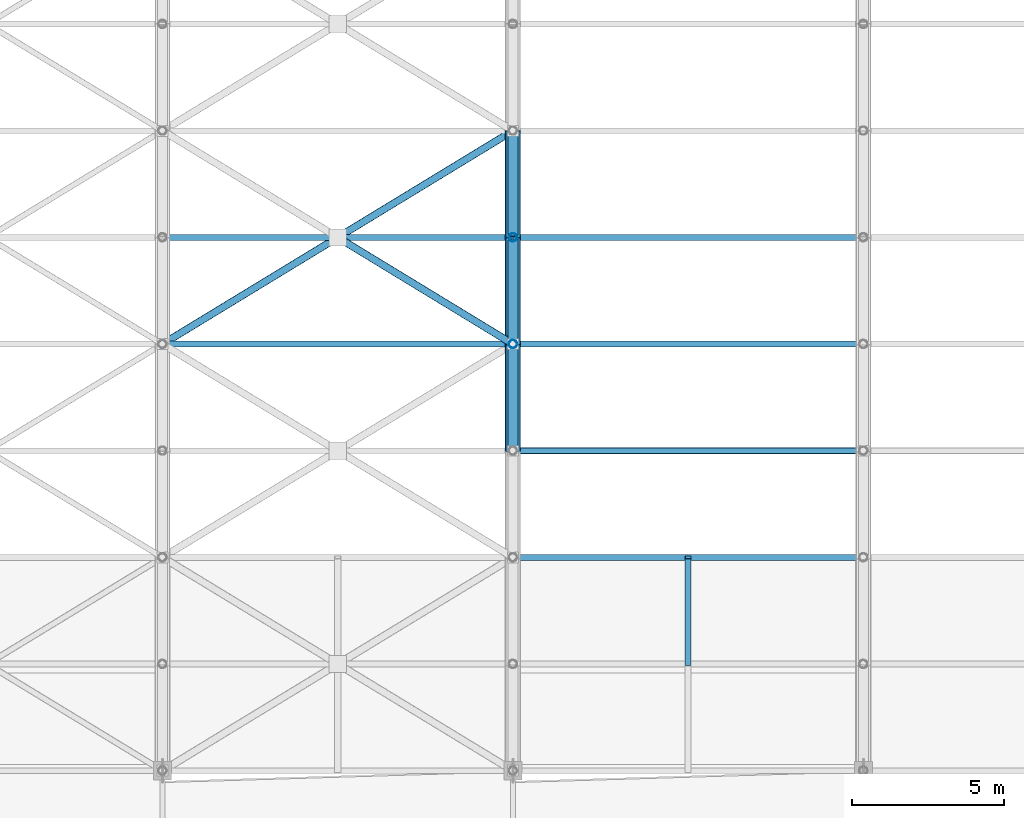
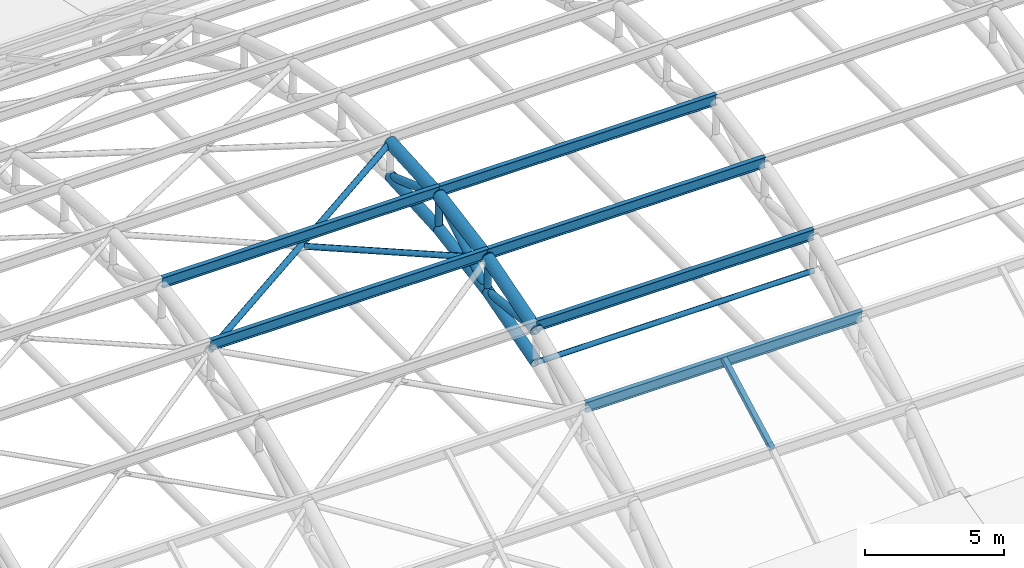
# One storey, part 12 of 154: 21 members.
"""IFC4 building model written with IfcOpenShell, lengths in metres."""

import ifcopenshell
import ifcopenshell.guid

model = None  # the IFC model being written
_history = None  # IfcOwnerHistory: only IFC2X3 demands one
_inside = {}  # id of a spatial element -> (the spatial element, [elements in it])
_under = {}  # id of a project, library or spatial element -> (it, [spatial elements below it])
_declared = {}  # id of a project -> (the project, [libraries it declares])
_typed = {}  # id of a type object -> (the type object, [elements of that type])
_made_of = {}  # id of a material, layer set ... -> (it, [elements and type objects made of it])


def new_model(schema):
    """Start an empty IFC model of exactly this schema.

    Asked for "IFC4X3", IfcOpenShell would pick the latest addendum, in which some entities
    have other attributes; the version numbers below select the first issue.
    IFC2X3 requires an IfcOwnerHistory on every rooted entity: one is made here for all.
    """
    global model, _history
    if schema == "IFC4X3":
        model = ifcopenshell.file(schema_version=(4, 3, 0, 0))
    else:
        model = ifcopenshell.file(schema=schema)
    _inside.clear()
    _under.clear()
    _declared.clear()
    _typed.clear()
    _made_of.clear()
    _history = None
    if model.schema == "IFC2X3":
        org = make("IfcOrganization", Name="unknown")
        user = make(
            "IfcPersonAndOrganization",
            ThePerson=make("IfcPerson", FamilyName="unknown"),
            TheOrganization=org,
        )
        app = make(
            "IfcApplication",
            ApplicationDeveloper=org,
            Version="unknown",
            ApplicationFullName="unknown",
            ApplicationIdentifier="unknown",
        )
        _history = make(
            "IfcOwnerHistory",
            OwningUser=user,
            OwningApplication=app,
            ChangeAction="ADDED",
            CreationDate=0,
        )
    return model


def make(cls, **values):
    """One entity of the class cls with the attributes given. An attribute that is None is left unset."""
    return model.create_entity(
        cls, **{name: value for name, value in values.items() if value is not None}
    )


def rooted(cls, **values):
    """An entity with a GlobalId (a new one), such as an element, a storey or a relation."""
    return make(cls, GlobalId=ifcopenshell.guid.new(), OwnerHistory=_history, **values)


def si_unit(unit_type, name, prefix=None):
    """IfcSIUnit, for example si_unit("LENGTHUNIT", "METRE", prefix="MILLI")."""
    return make("IfcSIUnit", UnitType=unit_type, Prefix=prefix, Name=name)


def assignment(units):
    """IfcUnitAssignment: the units of a project."""
    return None if units is None else make("IfcUnitAssignment", Units=units)


def point(xyz):
    """IfcCartesianPoint."""
    return None if xyz is None else make("IfcCartesianPoint", Coordinates=xyz)


def direction(xyz):
    """IfcDirection."""
    return None if xyz is None else make("IfcDirection", DirectionRatios=xyz)


def frame(location, z_axis=None, x_axis=None):
    """IfcAxis2Placement3D, a coordinate frame: its origin and axes. An axis left out is left unset."""
    return make(
        "IfcAxis2Placement3D",
        Location=point(location),
        Axis=direction(z_axis),
        RefDirection=direction(x_axis),
    )


def frame_2d(location, x_axis=None):
    """IfcAxis2Placement2D, a coordinate frame in the plane: its origin and x axis."""
    return make(
        "IfcAxis2Placement2D", Location=point(location), RefDirection=direction(x_axis)
    )


def origin():
    """The frame at (0, 0, 0) with its axes left unset."""
    return frame((0.0, 0.0, 0.0))


def origin_2d():
    """The frame at (0, 0) in the plane with its x axis left unset."""
    return frame_2d((0.0, 0.0))


def place(relative_to, where):
    """IfcLocalPlacement: puts the frame where relative to a parent placement (None: the world)."""
    return make(
        "IfcLocalPlacement", PlacementRelTo=relative_to, RelativePlacement=where
    )


def context(
    kind, dimensions, precision=None, world=None, true_north=None, identifier=None
):
    """IfcGeometricRepresentationContext, for example the 3D "Model" context."""
    return make(
        "IfcGeometricRepresentationContext",
        ContextIdentifier=identifier,
        ContextType=kind,
        CoordinateSpaceDimension=dimensions,
        Precision=precision,
        WorldCoordinateSystem=world,
        TrueNorth=true_north,
    )


def subcontext(parent, identifier, kind, view, scale=None):
    """IfcGeometricRepresentationSubContext, for example "Body" below "Model"."""
    return make(
        "IfcGeometricRepresentationSubContext",
        ContextIdentifier=identifier,
        ContextType=kind,
        ParentContext=parent,
        TargetScale=scale,
        TargetView=view,
    )


def project(units=None, contexts=None):
    """IfcProject with its units and contexts."""
    return rooted(
        "IfcProject",
        Name="project",
        RepresentationContexts=contexts,
        UnitsInContext=assignment(units),
    )


def spatial(cls, under=None, at=None, **own):
    """A site, building, storey or space (cls), placed at a placement, below another one or the project."""
    s = rooted(cls, ObjectPlacement=at, **own)
    if under is not None:
        _under.setdefault(under.id(), (under, []))[1].append(s)
    return s


def profile(cls, at=None, kind="AREA", **sizes):
    """A parametric profile (cls). Its sizes go by their IFC names, for example OverallWidth=200.0."""
    return make(cls, ProfileType=kind, Position=at, **sizes)


def hollow_rectangle(**sizes):
    """IfcRectangleHollowProfileDef."""
    return profile("IfcRectangleHollowProfileDef", **sizes)


def hollow_circle(**sizes):
    """IfcCircleHollowProfileDef."""
    return profile("IfcCircleHollowProfileDef", **sizes)


def i_section(**sizes):
    """IfcIShapeProfileDef."""
    return profile("IfcIShapeProfileDef", **sizes)


def extrude(swept, where, along, depth):
    """IfcExtrudedAreaSolid: the profile swept, set in the frame where, extruded along a direction by depth."""
    return make(
        "IfcExtrudedAreaSolid",
        SweptArea=swept,
        Position=where,
        ExtrudedDirection=direction(along),
        Depth=depth,
    )


def shape(context_of_items, identifier, shape_type, items):
    """IfcShapeRepresentation: the items that make up one representation, for example the "Body"."""
    return make(
        "IfcShapeRepresentation",
        ContextOfItems=context_of_items,
        RepresentationIdentifier=identifier,
        RepresentationType=shape_type,
        Items=items,
    )


def material(Name=None, Category=None):
    """IfcMaterial."""
    return make("IfcMaterial", Name=Name, Category=Category)


def material_profile(
    of_material, cross_section, Name=None, Category=None, Priority=None
):
    """IfcMaterialProfile: a cross section and its material."""
    return make(
        "IfcMaterialProfile",
        Name=Name,
        Material=of_material,
        Profile=cross_section,
        Priority=Priority,
        Category=Category,
    )


def profile_set(profiles, Name=None, composite=None):
    """IfcMaterialProfileSet."""
    return make(
        "IfcMaterialProfileSet",
        Name=Name,
        MaterialProfiles=profiles,
        CompositeProfile=composite,
    )


def made_of(thing, what):
    """Note that an element or type object is made of a material, layer set ...; save() writes the relation."""
    if what is not None:
        _made_of.setdefault(what.id(), (what, []))[1].append(thing)
    return thing


def type_object(cls, material=None, **own):
    """A type object (cls), such as IfcWallType, which elements share."""
    return made_of(rooted(cls, **own), material)


def element(
    cls,
    number,
    at=None,
    inside=None,
    cuts=None,
    type_object=None,
    material=None,
    context=None,
    identifier="Body",
    shape_type=None,
    held_by="IfcProductDefinitionShape",
    body=None,
    shapes=None,
    **own,
):
    """One element of the class cls, such as IfcWall. Its Tag is "e" and its number.

    at: its placement. inside: the storey or other place that contains it. cuts: it is an
    opening in that element (IfcRelVoidsElement). A single representation is given by context,
    identifier, shape_type and body (its items); several are given by shapes. held_by: the class
    of the entity that holds the representations. save() writes the other relations.
    """
    e = rooted(cls, Tag="e%d" % number, ObjectPlacement=at, **own)
    if body is not None:
        shapes = [shape(context, identifier, shape_type, body)]
    if shapes is not None:
        e.Representation = make(held_by, Representations=shapes)
    if inside is not None:
        _inside.setdefault(inside.id(), (inside, []))[1].append(e)
    if cuts is not None:
        rooted(
            "IfcRelVoidsElement", RelatingBuildingElement=cuts, RelatedOpeningElement=e
        )
    if type_object is not None:
        _typed.setdefault(type_object.id(), (type_object, []))[1].append(e)
    return made_of(e, material)


def aggregate(whole, parts):
    """IfcRelAggregates: a whole, such as a stair, and the parts it consists of."""
    return rooted("IfcRelAggregates", RelatingObject=whole, RelatedObjects=parts)


def save(model, path):
    """Write the relations noted so far, then the file.

    IfcRelAggregates (storeys below a building ...), IfcRelContainedInSpatialStructure (elements
    in a storey), IfcRelDefinesByType, IfcRelAssociatesMaterial and IfcRelDeclares: one each for
    every whole, place, type object, material and project.
    """
    for whole, parts in _under.values():
        aggregate(whole, parts)
    for where, things in _inside.values():
        rooted(
            "IfcRelContainedInSpatialStructure",
            RelatedElements=things,
            RelatingStructure=where,
        )
    for kind, things in _typed.values():
        rooted("IfcRelDefinesByType", RelatedObjects=things, RelatingType=kind)
    for what, things in _made_of.values():
        rooted("IfcRelAssociatesMaterial", RelatedObjects=things, RelatingMaterial=what)
    for by, libraries in _declared.values():
        rooted("IfcRelDeclares", RelatingContext=by, RelatedDefinitions=libraries)
    model.write(path)


model = new_model("IFC4")

# Units and contexts
model_context = context("Model", 3, precision=1e-05, world=origin(), true_north=direction((0.0, 1.0)))
body_context = subcontext(model_context, "Body", "Model", "MODEL_VIEW")
ifc_project = project(units=[si_unit("LENGTHUNIT", "METRE"), si_unit("AREAUNIT", "SQUARE_METRE"), si_unit("VOLUMEUNIT", "CUBIC_METRE"), si_unit("PLANEANGLEUNIT", "RADIAN"), si_unit("MASSUNIT", "GRAM", prefix="KILO")], contexts=[model_context])

# Site, building, storey
site_placement = place(None, origin())
site = spatial("IfcSite", under=ifc_project, at=site_placement, CompositionType="ELEMENT")
building_placement = place(site_placement, origin())
building = spatial("IfcBuilding", under=site, at=building_placement, Name="Ologun Quay Terminus", CompositionType="ELEMENT")
storey_placement = place(building_placement, frame((0.0, 0.0, 13.800048828125)))
storey = spatial("IfcBuildingStorey", under=building, at=storey_placement, Name="L03", CompositionType="ELEMENT", Elevation=13.800048828125)

# Members
ifc_material_1 = material(Name="Steel S355", Category="steel")
ifc_material_profile_1 = material_profile(ifc_material_1, hollow_circle(Radius=0.136474609375, WallThickness=0.010009765625, at=origin_2d()), Name="CHS 273x10")
ifc_profile_set_1 = profile_set([ifc_material_profile_1], Name="Steel S355")
member_type_1 = type_object("IfcMemberType", Name="Arch Truss Vertical Post CHS273", PredefinedType="STRUT", material=ifc_profile_set_1)
member_1_placement = place(storey_placement, frame((23.0, 50.0, 6.435546875), z_axis=(0.0, 0.0, 1.0), x_axis=(1.0, 0.0, 0.0)))
element("IfcMember", 1, at=member_1_placement, inside=storey, type_object=member_type_1, Name="AW2 Arch Web Post 3-N4", PredefinedType="STRUT", context=body_context, shape_type="SweptSolid", body=[
    extrude(hollow_circle(Radius=0.136474609375, WallThickness=0.010009765625, at=origin_2d()), origin(), (0.0, 0.0, 1.0), 1.44873046875),
])
member_2_placement = place(storey_placement, frame((23.0, 53.5, 7.038818359375), z_axis=(0.0, 0.0, 1.0), x_axis=(1.0, 0.0, 0.0)))
element("IfcMember", 2, at=member_2_placement, inside=storey, type_object=member_type_1, Name="AW2 Arch Web Post 3-N5", PredefinedType="STRUT", context=body_context, shape_type="SweptSolid", body=[
    extrude(hollow_circle(Radius=0.136474609375, WallThickness=0.010009765625, at=origin_2d()), origin(), (0.0, 0.0, 1.0), 1.47216796875),
])
ifc_material_2 = material(Name="Steel S355", Category="steel")
ifc_material_profile_2 = material_profile(ifc_material_2, hollow_circle(Radius=0.161865234375, WallThickness=0.010009765625, at=origin_2d()), Name="CHS 323.9x10")
ifc_profile_set_2 = profile_set([ifc_material_profile_2], Name="Steel S355")
member_type_2 = type_object("IfcMemberType", Name="Arch Truss Web Diagonal CHS323", PredefinedType="BRACE", material=ifc_profile_set_2)
member_3_placement = place(storey_placement, frame((23.0, 46.5, 6.83984375), z_axis=(0.0, 0.993394361, -0.114750353084), x_axis=(-1.0, 0.0, 0.0)))
element("IfcMember", 3, at=member_3_placement, inside=storey, type_object=member_type_2, Name="AW1 Arch Web Diagonal 3-P4", PredefinedType="BRACE", context=body_context, shape_type="SweptSolid", body=[
    extrude(hollow_circle(Radius=0.161865234375, WallThickness=0.010009765625, at=origin_2d()), origin(), (0.0, 0.0, 1.0), 3.523193359375),
])
member_4_placement = place(storey_placement, frame((23.0, 50.0, 6.435546875), z_axis=(0.0, 0.860144332958, 0.510050709715), x_axis=(-1.0, 0.0, 0.0)))
element("IfcMember", 4, at=member_4_placement, inside=storey, type_object=member_type_2, Name="AW1 Arch Web Diagonal 3-P5", PredefinedType="BRACE", context=body_context, shape_type="SweptSolid", body=[
    extrude(hollow_circle(Radius=0.161865234375, WallThickness=0.010009765625, at=origin_2d()), origin(), (0.0, 0.0, 1.0), 4.069091796875),
])
member_5_placement = place(storey_placement, frame((23.0, 53.5, 8.510986328125), z_axis=(0.0, 0.939942650142, -0.34133241048), x_axis=(-1.0, 0.0, 0.0)))
element("IfcMember", 5, at=member_5_placement, inside=storey, type_object=member_type_2, Name="AW1 Arch Web Diagonal 3-P6", PredefinedType="BRACE", context=body_context, shape_type="SweptSolid", body=[
    extrude(hollow_circle(Radius=0.161865234375, WallThickness=0.010009765625, at=origin_2d()), origin(), (0.0, 0.0, 1.0), 3.7236328125),
])
ifc_material_3 = material(Name="Steel S355", Category="steel")
ifc_material_profile_3 = material_profile(ifc_material_3, hollow_circle(Radius=0.228515625, WallThickness=0.01611328125, at=origin_2d()), Name="CHS 457x16")
ifc_profile_set_3 = profile_set([ifc_material_profile_3], Name="Steel S355")
member_type_3 = type_object("IfcMemberType", Name="Parabolic Arch Bottom Chord CHS457", PredefinedType="CHORD", material=ifc_profile_set_3)
member_6_placement = place(storey_placement, frame((23.0, 46.5, 5.429931640625), z_axis=(0.0, 0.961115578425, 0.276146419331), x_axis=(-1.0, 0.0, 0.0)))
element("IfcMember", 6, at=member_6_placement, inside=storey, type_object=member_type_3, Name="AC2 Arch Bottom Chord 3-P4", PredefinedType="CHORD", context=body_context, shape_type="SweptSolid", body=[
    extrude(hollow_circle(Radius=0.228515625, WallThickness=0.01611328125, at=origin_2d()), origin(), (0.0, 0.0, 1.0), 3.6416015625),
])
member_7_placement = place(storey_placement, frame((23.0, 50.0, 6.435546875), z_axis=(0.0, 0.985468449185, 0.16985857547), x_axis=(-1.0, 0.0, 0.0)))
element("IfcMember", 7, at=member_7_placement, inside=storey, type_object=member_type_3, Name="AC2 Arch Bottom Chord 3-P5", PredefinedType="CHORD", context=body_context, shape_type="SweptSolid", body=[
    extrude(hollow_circle(Radius=0.228515625, WallThickness=0.01611328125, at=origin_2d()), origin(), (0.0, 0.0, 1.0), 3.551513671875),
])
member_8_placement = place(storey_placement, frame((23.0, 53.5, 7.038818359375), z_axis=(0.0, 0.998352239869, 0.057382969144), x_axis=(-1.0, 0.0, 0.0)))
element("IfcMember", 8, at=member_8_placement, inside=storey, type_object=member_type_3, Name="AC2 Arch Bottom Chord 3-P6", PredefinedType="CHORD", context=body_context, shape_type="SweptSolid", body=[
    extrude(hollow_circle(Radius=0.228515625, WallThickness=0.01611328125, at=origin_2d()), origin(), (0.0, 0.0, 1.0), 3.505859375),
])
ifc_material_4 = material(Name="Steel S355", Category="steel")
ifc_material_profile_4 = material_profile(ifc_material_4, hollow_circle(Radius=0.25390625, WallThickness=0.01611328125, at=origin_2d()), Name="CHS 508x16")
ifc_profile_set_4 = profile_set([ifc_material_profile_4], Name="Steel S355")
member_type_4 = type_object("IfcMemberType", Name="Parabolic Arch Top Chord CHS508", PredefinedType="CHORD", material=ifc_profile_set_4)
member_9_placement = place(storey_placement, frame((23.0, 46.5, 6.83984375), z_axis=(0.0, 0.958244712677, 0.285949419701), x_axis=(-1.0, 0.0, 0.0)))
element("IfcMember", 9, at=member_9_placement, inside=storey, type_object=member_type_4, Name="Arch Top Chord 3-P4", PredefinedType="CHORD", context=body_context, shape_type="SweptSolid", body=[
    extrude(hollow_circle(Radius=0.25390625, WallThickness=0.01611328125, at=origin_2d()), origin(), (0.0, 0.0, 1.0), 3.652587890625),
])
member_10_placement = place(storey_placement, frame((23.0, 50.0, 7.88427734375), z_axis=(0.0, 0.984344289591, 0.176256402859), x_axis=(-1.0, 0.0, 0.0)))
element("IfcMember", 10, at=member_10_placement, inside=storey, type_object=member_type_4, Name="Arch Top Chord 3-P5", PredefinedType="CHORD", context=body_context, shape_type="SweptSolid", body=[
    extrude(hollow_circle(Radius=0.25390625, WallThickness=0.01611328125, at=origin_2d()), origin(), (0.0, 0.0, 1.0), 3.5556640625),
])
member_11_placement = place(storey_placement, frame((23.0, 53.5, 8.510986328125), z_axis=(0.0, 0.998222121157, 0.0596036646), x_axis=(-1.0, 0.0, 0.0)))
element("IfcMember", 11, at=member_11_placement, inside=storey, type_object=member_type_4, Name="Arch Top Chord 3-P6", PredefinedType="CHORD", context=body_context, shape_type="SweptSolid", body=[
    extrude(hollow_circle(Radius=0.25390625, WallThickness=0.01611328125, at=origin_2d()), origin(), (0.0, 0.0, 1.0), 3.50634765625),
])
ifc_material_5 = material(Name="Steel S355", Category="steel")
ifc_material_profile_5 = material_profile(ifc_material_5, hollow_circle(Radius=0.109619140625, WallThickness=0.008056640625, at=origin_2d()), Name="CHS 219.1x8")
ifc_profile_set_5 = profile_set([ifc_material_profile_5], Name="Steel S355")
member_type_5 = type_object("IfcMemberType", Name="Roof Plan Wind Brace Collector CHS219", PredefinedType="STRUT", material=ifc_profile_set_5)
member_12_placement = place(storey_placement, frame((23.0, 46.5, 5.429931640625), z_axis=(1.0, 0.0, 0.0), x_axis=(0.0, 1.0, 0.0)))
element("IfcMember", 12, at=member_12_placement, inside=storey, type_object=member_type_5, Name="WB2 Collector Strut B3-K3", PredefinedType="STRUT", context=body_context, shape_type="SweptSolid", body=[
    extrude(hollow_circle(Radius=0.109619140625, WallThickness=0.008056640625, at=origin_2d()), origin(), (0.0, 0.0, 1.0), 11.5),
])
ifc_material_6 = material(Name="Steel S355", Category="steel")
ifc_material_profile_6 = material_profile(ifc_material_6, hollow_circle(Radius=0.122314453125, WallThickness=0.008056640625, at=origin_2d()), Name="CHS 244.5x8")
ifc_profile_set_6 = profile_set([ifc_material_profile_6], Name="Steel S355")
member_type_6 = type_object("IfcMemberType", Name="Roof Plan Wind Brace Primary CHS244", PredefinedType="BRACE", material=ifc_profile_set_6)
member_13_placement = place(storey_placement, frame((11.5, 50.0, 7.88427734375), z_axis=(0.852557618704, 0.518948115733, 0.061954499168), x_axis=(-0.519946946896, 0.854198555614, 0.0)))
element("IfcMember", 13, at=member_13_placement, inside=storey, type_object=member_type_6, Name="Roof Wind Brace A B2-K4", PredefinedType="BRACE", context=body_context, shape_type="SweptSolid", body=[
    extrude(hollow_circle(Radius=0.122314453125, WallThickness=0.008056640625, at=origin_2d()), origin(), (0.0, 0.0, 1.0), 13.48876953125),
])
member_14_placement = place(storey_placement, frame((17.369384765625, 53.42724609375, 8.29345703125), z_axis=(0.852563238847, -0.518938678703, -0.061956206405), x_axis=(0.51993754691, 0.854204277274, 0.0)))
element("IfcMember", 14, at=member_14_placement, inside=storey, type_object=member_type_6, Name="Roof Wind Brace B2 B2-K4", PredefinedType="BRACE", context=body_context, shape_type="SweptSolid", body=[
    extrude(hollow_circle(Radius=0.122314453125, WallThickness=0.008056640625, at=origin_2d()), origin(), (0.0, 0.0, 1.0), 6.604248046875),
])
ifc_material_7 = material(Name="Steel S355", Category="steel")
ifc_material_profile_7 = material_profile(ifc_material_7, hollow_rectangle(XDim=0.199951171875, YDim=0.199951171875, WallThickness=0.008056640625, at=origin_2d()), Name="SHS 200x200x8")
ifc_profile_set_7 = profile_set([ifc_material_profile_7], Name="Steel S355")
member_type_7 = type_object("IfcMemberType", Name="Skylight Cross Transom Bar RHS150", PredefinedType="STRUT", material=ifc_profile_set_7)
member_15_placement = place(storey_placement, frame((28.75, 39.5, 3.851806640625), z_axis=(0.0, 0.880967864924, 0.473176099324), x_axis=(-1.0, 0.0, 0.0)))
element("IfcMember", 15, at=member_15_placement, inside=storey, type_object=member_type_7, Name="SK2 Eave Secondary Rafter B3-P2", PredefinedType="STRUT", context=body_context, shape_type="SweptSolid", body=[
    extrude(hollow_rectangle(XDim=0.199951171875, YDim=0.199951171875, WallThickness=0.008056640625, at=origin_2d()), origin(), (0.0, 0.0, 1.0), 3.972900390625),
])
ifc_material_8 = material(Name="Steel S355", Category="steel")
ifc_material_profile_8 = material_profile(ifc_material_8, i_section(OverallWidth=0.1904296875, OverallDepth=0.45703125, WebThickness=0.009033203125, FlangeThickness=0.014404296875, at=origin_2d()), Name="UKB 457x191x74")
ifc_profile_set_8 = profile_set([ifc_material_profile_8], Name="Steel S355")
member_type_8 = type_object("IfcMemberType", Name="Train Shed Primary Roof Purlin UKB457", PredefinedType="PURLIN", material=ifc_profile_set_8)
for number, where, z_axis, x_axis, name in (
    (16, (11.5, 50.0, 8.11279296875), (1.0, 0.0, 0.0), (0.0, 1.0, 0.0), "PR1 Roof Purlin B2-N4"),
    (17, (11.5, 53.5, 8.739501953125), (1.0, 0.0, 0.0), (0.0, 1.0, 0.0), "PR1 Roof Purlin B2-N5"),
    (18, (23.0, 43.0, 5.606201171875), (1.0, 0.0, 0.0), (0.0, 1.0, 0.0), "PR1 Roof Purlin B3-N2"),
    (19, (23.0, 46.5, 7.068359375), (1.0, 0.0, 0.0), (0.0, 1.0, 0.0), "PR1 Roof Purlin B3-N3"),
    (20, (23.0, 50.0, 8.11279296875), (1.0, 0.0, 0.0), (0.0, 1.0, 0.0), "PR1 Roof Purlin B3-N4"),
    (21, (23.0, 53.5, 8.739501953125), (1.0, 0.0, 0.0), (0.0, 1.0, 0.0), "PR1 Roof Purlin B3-N5"),
):
    element("IfcMember", number, at=place(storey_placement, frame(where, z_axis=z_axis, x_axis=x_axis)), inside=storey, type_object=member_type_8, Name=name, PredefinedType="PURLIN", context=body_context, shape_type="SweptSolid", body=[
        extrude(i_section(OverallWidth=0.1904296875, OverallDepth=0.45703125, WebThickness=0.009033203125, FlangeThickness=0.014404296875, at=origin_2d()), origin(), (0.0, 0.0, 1.0), 11.5),
    ])

save(model, "model.ifc")
